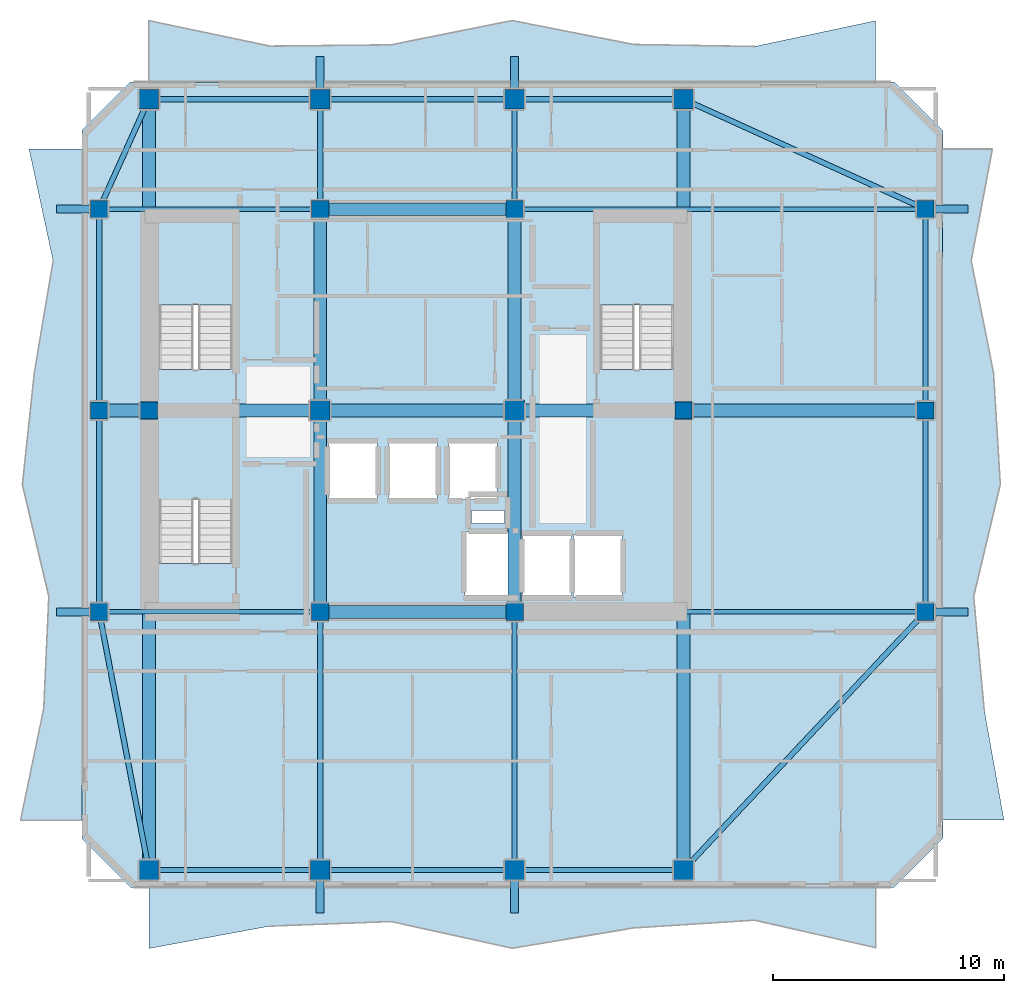
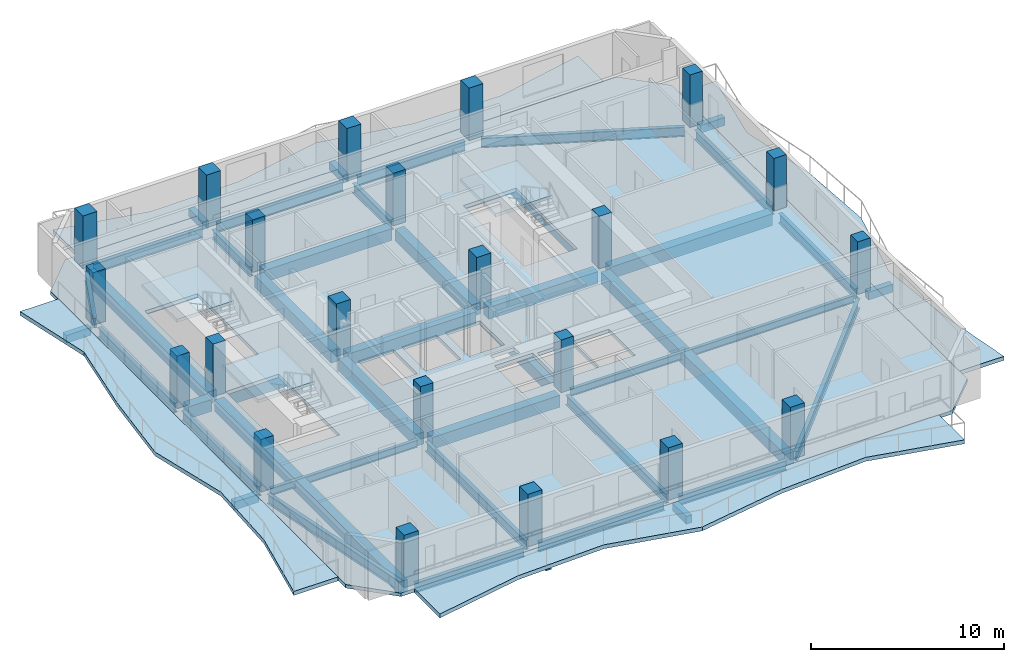
# One storey, part 1 of 9: 45 beams, 22 columns, 8 slabs, 3 elements without a shape of their own.
"""IFC4 building model written with IfcOpenShell, lengths in metres."""

from ifc_helpers import new_model, si_unit, direction, frame, origin, origin_2d, place, context, subcontext, project, spatial, polyline, rectangle, i_section, outline, extrude, material, layer, layer_set, material_profile, profile_set, type_object, element, aggregate, save


model = new_model("IFC4")

# Units and contexts
model_context = context("Model", 3, precision=1e-05, world=origin(), true_north=direction((0.0, 1.0)))
body_context = subcontext(model_context, "Body", "Model", "MODEL_VIEW")
ifc_project = project(units=[si_unit("LENGTHUNIT", "METRE"), si_unit("AREAUNIT", "SQUARE_METRE"), si_unit("VOLUMEUNIT", "CUBIC_METRE"), si_unit("PLANEANGLEUNIT", "RADIAN"), si_unit("MASSUNIT", "GRAM", prefix="KILO")], contexts=[model_context])

# Site, building, storey
site_placement = place(None, origin())
site = spatial("IfcSite", under=ifc_project, at=site_placement, CompositionType="ELEMENT")
building_placement = place(site_placement, origin())
building = spatial("IfcBuilding", under=site, at=building_placement, Name="Solanera Arch Residences", CompositionType="ELEMENT")
storey_placement = place(building_placement, frame((0.0, 0.0, 216.719970703125)))
storey = spatial("IfcBuildingStorey", under=building, at=storey_placement, Name="L63", CompositionType="ELEMENT", Elevation=216.719970703125)

# Columns
ifc_material_1 = material(Name="Concrete C40/50 (f'c = 45 MPa)", Category="concrete")
ifc_material_profile_1 = material_profile(ifc_material_1, rectangle(XDim=0.75, YDim=0.75, at=origin_2d()))
ifc_profile_set_1 = profile_set([ifc_material_profile_1], Name="Concrete C40/50 (f'c = 45 MPa)")
column_type_1 = type_object("IfcColumnType", Name="Structural Column RC-COL-750X750", PredefinedType="COLUMN", material=ifc_profile_set_1)
for number, where, z_axis, x_axis, name in (
    (1, (20.800048828125, 22.0, 0.0), (0.0, 0.0, 1.0), (1.0, 0.0, 0.0), "COL-L63-CB-SW"),
    (2, (29.199951171875, 22.0, 0.0), (0.0, 0.0, 1.0), (1.0, 0.0, 0.0), "COL-L63-CB-SE"),
    (3, (20.800048828125, 39.39990234375, 0.0), (0.0, 0.0, 1.0), (1.0, 0.0, 0.0), "COL-L63-CB-NW"),
    (4, (29.199951171875, 39.39990234375, 0.0), (0.0, 0.0, 1.0), (1.0, 0.0, 0.0), "COL-L63-CB-NE"),
    (5, (13.39990234375, 30.699951171875, 0.0), (0.0, 0.0, 1.0), (1.0, 0.0, 0.0), "COL-L63-CB-WW"),
    (6, (36.5, 30.699951171875, 0.0), (0.0, 0.0, 1.0), (1.0, 0.0, 0.0), "COL-L63-CB-EE"),
    (7, (11.25, 22.0, 0.0), (0.0, 0.0, 1.0), (1.0, 0.0, 0.0), "COL-L63-TWR-09"),
    (8, (46.949951171875, 22.0, 0.0), (0.0, 0.0, 1.0), (1.0, 0.0, 0.0), "COL-L63-TWR-10"),
    (9, (11.25, 30.699951171875, 0.0), (0.0, 0.0, 1.0), (1.0, 0.0, 0.0), "COL-L63-TWR-11"),
    (10, (46.949951171875, 30.699951171875, 0.0), (0.0, 0.0, 1.0), (1.0, 0.0, 0.0), "COL-L63-TWR-12"),
    (11, (11.25, 39.39990234375, 0.0), (0.0, 0.0, 1.0), (1.0, 0.0, 0.0), "COL-L63-TWR-13"),
    (12, (46.949951171875, 39.39990234375, 0.0), (0.0, 0.0, 1.0), (1.0, 0.0, 0.0), "COL-L63-TWR-14"),
):
    element("IfcColumn", number, at=place(storey_placement, frame(where, z_axis=z_axis, x_axis=x_axis)), inside=storey, type_object=column_type_1, Name=name, PredefinedType="COLUMN", context=body_context, shape_type="SweptSolid", body=[
        extrude(rectangle(XDim=0.75, YDim=0.75, at=origin_2d()), origin(), (0.0, 0.0, 1.0), 3.320068359375),
    ])
ifc_material_2 = material(Name="Concrete C40/50 (f'c = 45 MPa)", Category="concrete")
ifc_material_profile_2 = material_profile(ifc_material_2, rectangle(XDim=0.85009765625, YDim=0.85009765625, at=origin_2d()))
ifc_profile_set_2 = profile_set([ifc_material_profile_2], Name="Concrete C40/50 (f'c = 45 MPa)")
column_type_2 = type_object("IfcColumnType", Name="Structural Column RC-COL-850X850", PredefinedType="COLUMN", material=ifc_profile_set_2)
for number, where, z_axis, x_axis, name in (
    (13, (20.800048828125, 30.699951171875, 0.0), (0.0, 0.0, 1.0), (1.0, 0.0, 0.0), "COL-L63-CORE-W"),
    (14, (29.199951171875, 30.699951171875, 0.0), (0.0, 0.0, 1.0), (1.0, 0.0, 0.0), "COL-L63-CORE-E"),
    (15, (13.39990234375, 10.85009765625, 0.0), (0.0, 0.0, 1.0), (1.0, 0.0, 0.0), "COL-L63-TWR-01"),
    (16, (13.39990234375, 44.14990234375, 0.0), (0.0, 0.0, 1.0), (1.0, 0.0, 0.0), "COL-L63-TWR-02"),
    (17, (20.800048828125, 10.85009765625, 0.0), (0.0, 0.0, 1.0), (1.0, 0.0, 0.0), "COL-L63-TWR-03"),
    (18, (20.800048828125, 44.14990234375, 0.0), (0.0, 0.0, 1.0), (1.0, 0.0, 0.0), "COL-L63-TWR-04"),
    (19, (29.199951171875, 10.85009765625, 0.0), (0.0, 0.0, 1.0), (1.0, 0.0, 0.0), "COL-L63-TWR-05"),
    (20, (29.199951171875, 44.14990234375, 0.0), (0.0, 0.0, 1.0), (1.0, 0.0, 0.0), "COL-L63-TWR-06"),
    (21, (36.5, 10.85009765625, 0.0), (0.0, 0.0, 1.0), (1.0, 0.0, 0.0), "COL-L63-TWR-07"),
    (22, (36.5, 44.14990234375, 0.0), (0.0, 0.0, 1.0), (1.0, 0.0, 0.0), "COL-L63-TWR-08"),
):
    element("IfcColumn", number, at=place(storey_placement, frame(where, z_axis=z_axis, x_axis=x_axis)), inside=storey, type_object=column_type_2, Name=name, PredefinedType="COLUMN", context=body_context, shape_type="SweptSolid", body=[
        extrude(rectangle(XDim=0.85009765625, YDim=0.85009765625, at=origin_2d()), origin(), (0.0, 0.0, 1.0), 3.320068359375),
    ])

# Beams
ifc_material_3 = material(Name="Concrete C40/50 (f'c = 45 MPa)", Category="concrete")
ifc_material_profile_3 = material_profile(ifc_material_3, rectangle(XDim=0.35009765625, YDim=0.5, at=origin_2d()))
ifc_profile_set_3 = profile_set([ifc_material_profile_3], Name="Concrete C40/50 (f'c = 45 MPa)")
beam_type_1 = type_object("IfcBeamType", Name="BM-BALC-RIB", PredefinedType="BEAM", material=ifc_profile_set_3)
for number, where, z_axis, x_axis, name in (
    (23, (20.800048828125, 9.0, -0.5), (0.0, 1.0, 0.0), (-1.0, 0.0, 0.0), "BM-L63-BRIB-S1"),
    (24, (29.199951171875, 9.0, -0.5), (0.0, 1.0, 0.0), (-1.0, 0.0, 0.0), "BM-L63-BRIB-S2"),
    (25, (20.800048828125, 44.574951171875, -0.5), (0.0, 1.0, 0.0), (-1.0, 0.0, 0.0), "BM-L63-BRIB-N1"),
    (26, (29.199951171875, 44.574951171875, -0.5), (0.0, 1.0, 0.0), (-1.0, 0.0, 0.0), "BM-L63-BRIB-N2"),
):
    element("IfcBeam", number, at=place(storey_placement, frame(where, z_axis=z_axis, x_axis=x_axis)), inside=storey, type_object=beam_type_1, Name=name, PredefinedType="BEAM", context=body_context, shape_type="SweptSolid", body=[
        extrude(rectangle(XDim=0.35009765625, YDim=0.5, at=origin_2d()), origin(), (0.0, 0.0, 1.0), 1.425048828125),
    ])
for number, where, z_axis, x_axis, name in (
    (27, (47.324951171875, 22.0, -0.5), (1.0, 0.0, 0.0), (0.0, 1.0, 0.0), "BM-L63-BRIB-E1"),
    (28, (47.324951171875, 39.39990234375, -0.5), (1.0, 0.0, 0.0), (0.0, 1.0, 0.0), "BM-L63-BRIB-E2"),
    (29, (9.39990234375, 22.0, -0.5), (1.0, 0.0, 0.0), (0.0, 1.0, 0.0), "BM-L63-BRIB-W1"),
    (30, (9.39990234375, 39.39990234375, -0.5), (1.0, 0.0, 0.0), (0.0, 1.0, 0.0), "BM-L63-BRIB-W2"),
):
    element("IfcBeam", number, at=place(storey_placement, frame(where, z_axis=z_axis, x_axis=x_axis)), inside=storey, type_object=beam_type_1, Name=name, PredefinedType="BEAM", context=body_context, shape_type="SweptSolid", body=[
        extrude(rectangle(XDim=0.35009765625, YDim=0.5, at=origin_2d()), origin(), (0.0, 0.0, 1.0), 1.47509765625),
    ])
ifc_material_4 = material(Name="Concrete C40/50 (f'c = 45 MPa)", Category="concrete")
ifc_material_profile_4 = material_profile(ifc_material_4, rectangle(XDim=0.550048828125, YDim=0.75, at=origin_2d()))
ifc_profile_set_4 = profile_set([ifc_material_profile_4], Name="Concrete C40/50 (f'c = 45 MPa)")
beam_type_2 = type_object("IfcBeamType", Name="Primary Beam RC-BM-550X750", PredefinedType="BEAM", material=ifc_profile_set_4)
beam_1_placement = place(storey_placement, frame((20.800048828125, 22.37890625, -0.594970703125), z_axis=(0.0, 1.0, 0.0), x_axis=(-1.0, 0.0, 0.0)))
element("IfcBeam", 31, at=beam_1_placement, inside=storey, type_object=beam_type_2, Name="BM-L63-CC-S-208", PredefinedType="BEAM", context=body_context, shape_type="SweptSolid", body=[
    extrude(rectangle(XDim=0.550048828125, YDim=0.75, at=origin_2d()), origin(), (0.0, 0.0, 1.0), 7.942138671875),
])
beam_2_placement = place(storey_placement, frame((20.800048828125, 31.0791015625, -0.594970703125), z_axis=(0.0, 1.0, 0.0), x_axis=(-1.0, 0.0, 0.0)))
element("IfcBeam", 32, at=beam_2_placement, inside=storey, type_object=beam_type_2, Name="BM-L63-CC-N-208", PredefinedType="BEAM", context=body_context, shape_type="SweptSolid", body=[
    extrude(rectangle(XDim=0.550048828125, YDim=0.75, at=origin_2d()), origin(), (0.0, 0.0, 1.0), 7.94189453125),
])
beam_3_placement = place(storey_placement, frame((29.199951171875, 22.37890625, -0.594970703125), z_axis=(0.0, 1.0, 0.0), x_axis=(-1.0, 0.0, 0.0)))
element("IfcBeam", 33, at=beam_3_placement, inside=storey, type_object=beam_type_2, Name="BM-L63-CC-S-292", PredefinedType="BEAM", context=body_context, shape_type="SweptSolid", body=[
    extrude(rectangle(XDim=0.550048828125, YDim=0.75, at=origin_2d()), origin(), (0.0, 0.0, 1.0), 7.942138671875),
])
beam_4_placement = place(storey_placement, frame((29.199951171875, 31.0791015625, -0.594970703125), z_axis=(0.0, 1.0, 0.0), x_axis=(-1.0, 0.0, 0.0)))
element("IfcBeam", 34, at=beam_4_placement, inside=storey, type_object=beam_type_2, Name="BM-L63-CC-N-292", PredefinedType="BEAM", context=body_context, shape_type="SweptSolid", body=[
    extrude(rectangle(XDim=0.550048828125, YDim=0.75, at=origin_2d()), origin(), (0.0, 0.0, 1.0), 7.94189453125),
])
for number, where, z_axis, x_axis, name in (
    (35, (21.178955078125, 22.0, -0.594970703125), (1.0, 0.0, 0.0), (0.0, 1.0, 0.0), "BM-L63-CC-M-220"),
    (36, (21.178955078125, 30.699951171875, -0.594970703125), (1.0, 0.0, 0.0), (0.0, 1.0, 0.0), "BM-L63-CC-M-307"),
    (37, (21.178955078125, 39.39990234375, -0.594970703125), (1.0, 0.0, 0.0), (0.0, 1.0, 0.0), "BM-L63-CC-M-394"),
):
    element("IfcBeam", number, at=place(storey_placement, frame(where, z_axis=z_axis, x_axis=x_axis)), inside=storey, type_object=beam_type_2, Name=name, PredefinedType="BEAM", context=body_context, shape_type="SweptSolid", body=[
        extrude(rectangle(XDim=0.550048828125, YDim=0.75, at=origin_2d()), origin(), (0.0, 0.0, 1.0), 7.64208984375),
    ])
beam_5_placement = place(storey_placement, frame((13.779052734375, 30.699951171875, -0.594970703125), z_axis=(1.0, 0.0, 0.0), x_axis=(0.0, 1.0, 0.0)))
element("IfcBeam", 38, at=beam_5_placement, inside=storey, type_object=beam_type_2, Name="BM-L63-CC-W", PredefinedType="BEAM", context=body_context, shape_type="SweptSolid", body=[
    extrude(rectangle(XDim=0.550048828125, YDim=0.75, at=origin_2d()), origin(), (0.0, 0.0, 1.0), 6.641845703125),
])
beam_6_placement = place(storey_placement, frame((29.5791015625, 30.699951171875, -0.594970703125), z_axis=(1.0, 0.0, 0.0), x_axis=(0.0, 1.0, 0.0)))
element("IfcBeam", 39, at=beam_6_placement, inside=storey, type_object=beam_type_2, Name="BM-L63-CC-E", PredefinedType="BEAM", context=body_context, shape_type="SweptSolid", body=[
    extrude(rectangle(XDim=0.550048828125, YDim=0.75, at=origin_2d()), origin(), (0.0, 0.0, 1.0), 6.5419921875),
])
beam_7_placement = place(storey_placement, frame((13.39990234375, 11.279052734375, -0.594970703125), z_axis=(0.0, 1.0, 0.0), x_axis=(-1.0, 0.0, 0.0)))
element("IfcBeam", 40, at=beam_7_placement, inside=storey, type_object=beam_type_2, Name="BM-L63-RAD-OS-134", PredefinedType="BEAM", context=body_context, shape_type="SweptSolid", body=[
    extrude(rectangle(XDim=0.550048828125, YDim=0.75, at=origin_2d()), origin(), (0.0, 0.0, 1.0), 19.0419921875),
])
beam_8_placement = place(storey_placement, frame((13.39990234375, 31.0791015625, -0.594970703125), z_axis=(0.0, 1.0, 0.0), x_axis=(-1.0, 0.0, 0.0)))
element("IfcBeam", 41, at=beam_8_placement, inside=storey, type_object=beam_type_2, Name="BM-L63-RAD-ON-134", PredefinedType="BEAM", context=body_context, shape_type="SweptSolid", body=[
    extrude(rectangle(XDim=0.550048828125, YDim=0.75, at=origin_2d()), origin(), (0.0, 0.0, 1.0), 12.641845703125),
])
beam_9_placement = place(storey_placement, frame((36.5, 11.279052734375, -0.594970703125), z_axis=(0.0, 1.0, 0.0), x_axis=(-1.0, 0.0, 0.0)))
element("IfcBeam", 42, at=beam_9_placement, inside=storey, type_object=beam_type_2, Name="BM-L63-RAD-OS-365", PredefinedType="BEAM", context=body_context, shape_type="SweptSolid", body=[
    extrude(rectangle(XDim=0.550048828125, YDim=0.75, at=origin_2d()), origin(), (0.0, 0.0, 1.0), 19.0419921875),
])
beam_10_placement = place(storey_placement, frame((36.5, 31.0791015625, -0.594970703125), z_axis=(0.0, 1.0, 0.0), x_axis=(-1.0, 0.0, 0.0)))
element("IfcBeam", 43, at=beam_10_placement, inside=storey, type_object=beam_type_2, Name="BM-L63-RAD-ON-365", PredefinedType="BEAM", context=body_context, shape_type="SweptSolid", body=[
    extrude(rectangle(XDim=0.550048828125, YDim=0.75, at=origin_2d()), origin(), (0.0, 0.0, 1.0), 12.641845703125),
])
beam_11_placement = place(storey_placement, frame((11.62890625, 30.699951171875, -0.594970703125), z_axis=(1.0, 0.0, 0.0), x_axis=(0.0, 1.0, 0.0)))
element("IfcBeam", 44, at=beam_11_placement, inside=storey, type_object=beam_type_2, Name="BM-L63-RAD-MW", PredefinedType="BEAM", context=body_context, shape_type="SweptSolid", body=[
    extrude(rectangle(XDim=0.550048828125, YDim=0.75, at=origin_2d()), origin(), (0.0, 0.0, 1.0), 1.39208984375),
])
beam_12_placement = place(storey_placement, frame((36.87890625, 30.699951171875, -0.594970703125), z_axis=(1.0, 0.0, 0.0), x_axis=(0.0, 1.0, 0.0)))
element("IfcBeam", 45, at=beam_12_placement, inside=storey, type_object=beam_type_2, Name="BM-L63-RAD-ME", PredefinedType="BEAM", context=body_context, shape_type="SweptSolid", body=[
    extrude(rectangle(XDim=0.550048828125, YDim=0.75, at=origin_2d()), origin(), (0.0, 0.0, 1.0), 9.692138671875),
])
ifc_material_5 = material(Name="Steel S355 (ASTM A992 / A572 Grade 50)", Category="steel")
ifc_material_profile_5 = material_profile(ifc_material_5, i_section(OverallWidth=0.22998046875, OverallDepth=0.616943359375, WebThickness=0.01318359375, FlangeThickness=0.022216796875, at=origin_2d()))
ifc_profile_set_5 = profile_set([ifc_material_profile_5], Name="Steel S355 (ASTM A992 / A572 Grade 50)")
beam_type_3 = type_object("IfcBeamType", Name="Primary Beam W610X140", PredefinedType="BEAM", material=ifc_profile_set_5)
beam_13_placement = place(storey_placement, frame((20.800048828125, 11.279052734375, -0.529052734375), z_axis=(0.0, 1.0, 0.0), x_axis=(-1.0, 0.0, 0.0)))
element("IfcBeam", 46, at=beam_13_placement, inside=storey, type_object=beam_type_3, Name="BM-L63-RAD-S-208", PredefinedType="BEAM", context=body_context, shape_type="SweptSolid", body=[
    extrude(i_section(OverallWidth=0.22998046875, OverallDepth=0.616943359375, WebThickness=0.01318359375, FlangeThickness=0.022216796875, at=origin_2d()), origin(), (0.0, 0.0, 1.0), 10.342041015625),
])
beam_14_placement = place(storey_placement, frame((20.800048828125, 39.779052734375, -0.529052734375), z_axis=(0.0, 1.0, 0.0), x_axis=(-1.0, 0.0, 0.0)))
element("IfcBeam", 47, at=beam_14_placement, inside=storey, type_object=beam_type_3, Name="BM-L63-RAD-N-208", PredefinedType="BEAM", context=body_context, shape_type="SweptSolid", body=[
    extrude(i_section(OverallWidth=0.22998046875, OverallDepth=0.616943359375, WebThickness=0.01318359375, FlangeThickness=0.022216796875, at=origin_2d()), origin(), (0.0, 0.0, 1.0), 3.94189453125),
])
beam_15_placement = place(storey_placement, frame((29.199951171875, 11.279052734375, -0.529052734375), z_axis=(0.0, 1.0, 0.0), x_axis=(-1.0, 0.0, 0.0)))
element("IfcBeam", 48, at=beam_15_placement, inside=storey, type_object=beam_type_3, Name="BM-L63-RAD-S-292", PredefinedType="BEAM", context=body_context, shape_type="SweptSolid", body=[
    extrude(i_section(OverallWidth=0.22998046875, OverallDepth=0.616943359375, WebThickness=0.01318359375, FlangeThickness=0.022216796875, at=origin_2d()), origin(), (0.0, 0.0, 1.0), 10.342041015625),
])
beam_16_placement = place(storey_placement, frame((29.199951171875, 39.779052734375, -0.529052734375), z_axis=(0.0, 1.0, 0.0), x_axis=(-1.0, 0.0, 0.0)))
element("IfcBeam", 49, at=beam_16_placement, inside=storey, type_object=beam_type_3, Name="BM-L63-RAD-N-292", PredefinedType="BEAM", context=body_context, shape_type="SweptSolid", body=[
    extrude(i_section(OverallWidth=0.22998046875, OverallDepth=0.616943359375, WebThickness=0.01318359375, FlangeThickness=0.022216796875, at=origin_2d()), origin(), (0.0, 0.0, 1.0), 3.94189453125),
])
ifc_material_6 = material(Name="Steel S355 (ASTM A992 / A572 Grade 50)", Category="steel")
ifc_material_profile_6 = material_profile(ifc_material_6, i_section(OverallWidth=0.19091796875, OverallDepth=0.4599609375, WebThickness=0.010009765625, FlangeThickness=0.01611328125, at=origin_2d()))
ifc_profile_set_6 = profile_set([ifc_material_profile_6], Name="Steel S355 (ASTM A992 / A572 Grade 50)")
beam_type_4 = type_object("IfcBeamType", Name="Secondary Joist W460X82", PredefinedType="JOIST", material=ifc_profile_set_6)
beam_17_placement = place(storey_placement, frame((11.62890625, 22.0, -0.449951171875), z_axis=(1.0, 0.0, 0.0), x_axis=(0.0, 1.0, 0.0)))
element("IfcBeam", 50, at=beam_17_placement, inside=storey, type_object=beam_type_4, Name="BM-L63-RAD-W-220", PredefinedType="JOIST", context=body_context, shape_type="SweptSolid", body=[
    extrude(i_section(OverallWidth=0.19091796875, OverallDepth=0.4599609375, WebThickness=0.010009765625, FlangeThickness=0.01611328125, at=origin_2d()), origin(), (0.0, 0.0, 1.0), 8.7919921875),
])
beam_18_placement = place(storey_placement, frame((29.5791015625, 22.0, -0.449951171875), z_axis=(1.0, 0.0, 0.0), x_axis=(0.0, 1.0, 0.0)))
element("IfcBeam", 51, at=beam_18_placement, inside=storey, type_object=beam_type_4, Name="BM-L63-RAD-E-220", PredefinedType="JOIST", context=body_context, shape_type="SweptSolid", body=[
    extrude(i_section(OverallWidth=0.19091796875, OverallDepth=0.4599609375, WebThickness=0.010009765625, FlangeThickness=0.01611328125, at=origin_2d()), origin(), (0.0, 0.0, 1.0), 16.991943359375),
])
beam_19_placement = place(storey_placement, frame((11.62890625, 39.39990234375, -0.449951171875), z_axis=(1.0, 0.0, 0.0), x_axis=(0.0, 1.0, 0.0)))
element("IfcBeam", 52, at=beam_19_placement, inside=storey, type_object=beam_type_4, Name="BM-L63-RAD-W-394", PredefinedType="JOIST", context=body_context, shape_type="SweptSolid", body=[
    extrude(i_section(OverallWidth=0.19091796875, OverallDepth=0.4599609375, WebThickness=0.010009765625, FlangeThickness=0.01611328125, at=origin_2d()), origin(), (0.0, 0.0, 1.0), 8.7919921875),
])
beam_20_placement = place(storey_placement, frame((29.5791015625, 39.39990234375, -0.449951171875), z_axis=(1.0, 0.0, 0.0), x_axis=(0.0, 1.0, 0.0)))
element("IfcBeam", 53, at=beam_20_placement, inside=storey, type_object=beam_type_4, Name="BM-L63-RAD-E-394", PredefinedType="JOIST", context=body_context, shape_type="SweptSolid", body=[
    extrude(i_section(OverallWidth=0.19091796875, OverallDepth=0.4599609375, WebThickness=0.010009765625, FlangeThickness=0.01611328125, at=origin_2d()), origin(), (0.0, 0.0, 1.0), 16.991943359375),
])
ifc_material_7 = material(Name="Steel S355 (ASTM A992 / A572 Grade 50)", Category="steel")
ifc_material_profile_7 = material_profile(ifc_material_7, i_section(OverallWidth=0.22802734375, OverallDepth=0.60791015625, WebThickness=0.01123046875, FlangeThickness=0.017333984375, at=origin_2d()))
ifc_profile_set_7 = profile_set([ifc_material_profile_7], Name="Steel S355 (ASTM A992 / A572 Grade 50)")
beam_type_5 = type_object("IfcBeamType", Name="Spandrel Beam W610X113", PredefinedType="SPANDREL", material=ifc_profile_set_7)
for number, where, z_axis, x_axis, name in (
    (54, (13.8291015625, 10.85009765625, -0.52392578125), (1.0, 0.0, 0.0), (0.0, 1.0, 0.0), "BM-L63-SPN-S-1"),
    (55, (13.8291015625, 44.14990234375, -0.52392578125), (1.0, 0.0, 0.0), (0.0, 1.0, 0.0), "BM-L63-SPN-N-1"),
):
    element("IfcBeam", number, at=place(storey_placement, frame(where, z_axis=z_axis, x_axis=x_axis)), inside=storey, type_object=beam_type_5, Name=name, PredefinedType="SPANDREL", context=body_context, shape_type="SweptSolid", body=[
        extrude(i_section(OverallWidth=0.22802734375, OverallDepth=0.60791015625, WebThickness=0.01123046875, FlangeThickness=0.017333984375, at=origin_2d()), origin(), (0.0, 0.0, 1.0), 6.5419921875),
    ])
for number, where, z_axis, x_axis, name in (
    (56, (21.22900390625, 10.85009765625, -0.52392578125), (1.0, 0.0, 0.0), (0.0, 1.0, 0.0), "BM-L63-SPN-S-2"),
    (57, (21.22900390625, 44.14990234375, -0.52392578125), (1.0, 0.0, 0.0), (0.0, 1.0, 0.0), "BM-L63-SPN-N-2"),
):
    element("IfcBeam", number, at=place(storey_placement, frame(where, z_axis=z_axis, x_axis=x_axis)), inside=storey, type_object=beam_type_5, Name=name, PredefinedType="SPANDREL", context=body_context, shape_type="SweptSolid", body=[
        extrude(i_section(OverallWidth=0.22802734375, OverallDepth=0.60791015625, WebThickness=0.01123046875, FlangeThickness=0.017333984375, at=origin_2d()), origin(), (0.0, 0.0, 1.0), 7.5419921875),
    ])
for number, where, z_axis, x_axis, name in (
    (58, (29.62890625, 10.85009765625, -0.52392578125), (1.0, 0.0, 0.0), (0.0, 1.0, 0.0), "BM-L63-SPN-S-3"),
    (59, (29.62890625, 44.14990234375, -0.52392578125), (1.0, 0.0, 0.0), (0.0, 1.0, 0.0), "BM-L63-SPN-N-3"),
):
    element("IfcBeam", number, at=place(storey_placement, frame(where, z_axis=z_axis, x_axis=x_axis)), inside=storey, type_object=beam_type_5, Name=name, PredefinedType="SPANDREL", context=body_context, shape_type="SweptSolid", body=[
        extrude(i_section(OverallWidth=0.22802734375, OverallDepth=0.60791015625, WebThickness=0.01123046875, FlangeThickness=0.017333984375, at=origin_2d()), origin(), (0.0, 0.0, 1.0), 6.442138671875),
    ])
for number, where, z_axis, x_axis, name in (
    (60, (11.25, 22.37890625, -0.52392578125), (0.0, 1.0, 0.0), (-1.0, 0.0, 0.0), "BM-L63-SPN-W-1"),
    (61, (46.949951171875, 22.37890625, -0.52392578125), (0.0, 1.0, 0.0), (-1.0, 0.0, 0.0), "BM-L63-SPN-E-1"),
):
    element("IfcBeam", number, at=place(storey_placement, frame(where, z_axis=z_axis, x_axis=x_axis)), inside=storey, type_object=beam_type_5, Name=name, PredefinedType="SPANDREL", context=body_context, shape_type="SweptSolid", body=[
        extrude(i_section(OverallWidth=0.22802734375, OverallDepth=0.60791015625, WebThickness=0.01123046875, FlangeThickness=0.017333984375, at=origin_2d()), origin(), (0.0, 0.0, 1.0), 7.942138671875),
    ])
for number, where, z_axis, x_axis, name in (
    (62, (11.25, 31.0791015625, -0.52392578125), (0.0, 1.0, 0.0), (-1.0, 0.0, 0.0), "BM-L63-SPN-W-2"),
    (63, (46.949951171875, 31.0791015625, -0.52392578125), (0.0, 1.0, 0.0), (-1.0, 0.0, 0.0), "BM-L63-SPN-E-2"),
):
    element("IfcBeam", number, at=place(storey_placement, frame(where, z_axis=z_axis, x_axis=x_axis)), inside=storey, type_object=beam_type_5, Name=name, PredefinedType="SPANDREL", context=body_context, shape_type="SweptSolid", body=[
        extrude(i_section(OverallWidth=0.22802734375, OverallDepth=0.60791015625, WebThickness=0.01123046875, FlangeThickness=0.017333984375, at=origin_2d()), origin(), (0.0, 0.0, 1.0), 7.94189453125),
    ])
beam_21_placement = place(storey_placement, frame((13.31689453125, 11.279052734375, -0.52392578125), z_axis=(-0.189309049989, 0.981917554376, 0.0), x_axis=(-0.981917554376, -0.189309049989, 0.0)))
element("IfcBeam", 64, at=beam_21_placement, inside=storey, type_object=beam_type_5, Name="BM-L63-SPN-SW", PredefinedType="SPANDREL", context=body_context, shape_type="SweptSolid", body=[
    extrude(i_section(OverallWidth=0.22802734375, OverallDepth=0.60791015625, WebThickness=0.01123046875, FlangeThickness=0.017333984375, at=origin_2d()), origin(), (0.0, 0.0, 1.0), 10.532470703125),
])
beam_22_placement = place(storey_placement, frame((13.2060546875, 43.720947265625, -0.52392578125), z_axis=(-0.412535820952, -0.910941379251, 0.0), x_axis=(0.910941379251, -0.412535820952, 0.0)))
element("IfcBeam", 65, at=beam_22_placement, inside=storey, type_object=beam_type_5, Name="BM-L63-SPN-NW", PredefinedType="SPANDREL", context=body_context, shape_type="SweptSolid", body=[
    extrude(i_section(OverallWidth=0.22802734375, OverallDepth=0.60791015625, WebThickness=0.01123046875, FlangeThickness=0.017333984375, at=origin_2d()), origin(), (0.0, 0.0, 1.0), 4.327392578125),
])
beam_23_placement = place(storey_placement, frame((36.868896484375, 11.243896484375, -0.52392578125), z_axis=(0.68384805947, 0.72962444556, 0.0), x_axis=(-0.72962444556, 0.68384805947, 0.0)))
element("IfcBeam", 66, at=beam_23_placement, inside=storey, type_object=beam_type_5, Name="BM-L63-SPN-SE", PredefinedType="SPANDREL", context=body_context, shape_type="SweptSolid", body=[
    extrude(i_section(OverallWidth=0.22802734375, OverallDepth=0.60791015625, WebThickness=0.01123046875, FlangeThickness=0.017333984375, at=origin_2d()), origin(), (0.0, 0.0, 1.0), 14.223876953125),
])
beam_24_placement = place(storey_placement, frame((36.928955078125, 43.955078125, -0.52392578125), z_axis=(0.910356214976, -0.413825521028, 0.0), x_axis=(0.413825521028, 0.910356214976, 0.0)))
element("IfcBeam", 67, at=beam_24_placement, inside=storey, type_object=beam_type_5, Name="BM-L63-SPN-NE", PredefinedType="SPANDREL", context=body_context, shape_type="SweptSolid", body=[
    extrude(i_section(OverallWidth=0.22802734375, OverallDepth=0.60791015625, WebThickness=0.01123046875, FlangeThickness=0.017333984375, at=origin_2d()), origin(), (0.0, 0.0, 1.0), 10.591552734375),
])

# Slabs
ifc_material_8 = material(Name="Concrete C40/50 (f'c = 45 MPa)", Category="concrete")
ifc_layer_1 = layer(ifc_material_8, 0.25)
ifc_layer_set_1 = layer_set([ifc_layer_1], Name="Concrete C40/50 (f'c = 45 MPa)")
slab_type_1 = type_object("IfcSlabType", Name="Balcony Slab 250", PredefinedType="FLOOR", material=ifc_layer_set_1)
slab_1_placement = place(storey_placement, frame((0.0, 0.0, -0.25)))
element("IfcSlab", 68, at=slab_1_placement, inside=storey, type_object=slab_type_1, Name="L63 S Rippling Brise-Soleil Balcony Slab", PredefinedType="FLOOR", context=body_context, shape_type="SweptSolid", body=[
    extrude(outline(polyline([(13.39990234375, 7.4541015625), (18.633056640625, 8.423095703125), (23.866943359375, 8.62109375), (29.10009765625, 7.468017578125), (34.3330078125, 8.343994140625), (39.56689453125, 8.680908203125), (44.800048828125, 7.490966796875), (44.800048828125, 10.1201171875), (13.39990234375, 10.1201171875), (13.39990234375, 7.4541015625)])), origin(), (0.0, 0.0, 1.0), 0.25),
])
slab_2_placement = place(storey_placement, frame((0.0, 0.0, -0.25)))
element("IfcSlab", 69, at=slab_2_placement, inside=storey, type_object=slab_type_1, Name="L63 N Rippling Brise-Soleil Balcony Slab", PredefinedType="FLOOR", context=body_context, shape_type="SweptSolid", body=[
    extrude(outline(polyline([(44.800048828125, 47.5439453125), (39.56689453125, 46.429931640625), (34.3330078125, 46.51806640625), (29.10009765625, 47.550048828125), (23.866943359375, 46.5009765625), (18.633056640625, 46.446044921875), (13.39990234375, 47.5458984375), (13.39990234375, 44.8798828125), (44.800048828125, 44.8798828125), (44.800048828125, 47.5439453125)])), origin(), (0.0, 0.0, 1.0), 0.25),
])
slab_3_placement = place(storey_placement, frame((0.0, 0.0, -0.25)))
element("IfcSlab", 70, at=slab_3_placement, inside=storey, type_object=slab_type_1, Name="L63 E Rippling Brise-Soleil Balcony Slab", PredefinedType="FLOOR", context=body_context, shape_type="SweptSolid", body=[
    extrude(outline(polyline([(50.345947265625, 13.0), (49.48291015625, 17.8330078125), (49.034912109375, 22.6669921875), (50.18603515625, 27.5), (49.89404296875, 32.3330078125), (48.930908203125, 37.1669921875), (49.842041015625, 42.0), (47.679931640625, 42.0), (47.679931640625, 13.0), (50.345947265625, 13.0)])), origin(), (0.0, 0.0, 1.0), 0.25),
])
slab_4_placement = place(storey_placement, frame((0.0, 0.0, -0.25)))
element("IfcSlab", 71, at=slab_4_placement, inside=storey, type_object=slab_type_1, Name="L63 W Rippling Brise-Soleil Balcony Slab", PredefinedType="FLOOR", context=body_context, shape_type="SweptSolid", body=[
    extrude(outline(polyline([(8.220947265625, 42.0), (9.260009765625, 37.1669921875), (8.448974609375, 32.3330078125), (7.931884765625, 27.5), (9.074951171875, 22.6669921875), (8.85693359375, 17.8330078125), (7.85400390625, 13.0), (10.52001953125, 13.0), (10.52001953125, 42.0), (8.220947265625, 42.0)])), origin(), (0.0, 0.0, 1.0), 0.25),
])

# Stair, slab
ifc_material_9 = material(Name="Concrete C40/50 (f'c = 45 MPa)", Category="concrete")
stair_type = type_object("IfcStairType", Name="Tower Dogleg Exit Stair 1480", PredefinedType="HALF_TURN_STAIR", material=ifc_material_9)
stair_1_placement = place(storey_placement, origin())
stair_1 = element("IfcStair", 72, at=stair_1_placement, inside=storey, type_object=stair_type, Name="L63 Tower Core Exit Stair 1", PredefinedType="HALF_TURN_STAIR")
ifc_material_10 = material(Name="Concrete C40/50 (f'c = 45 MPa)", Category="concrete")
ifc_layer_2 = layer(ifc_material_10, 0.199951171875)
ifc_layer_set_2 = layer_set([ifc_layer_2], Name="Concrete C40/50 (f'c = 45 MPa)")
slab_type_2 = type_object("IfcSlabType", Name="Stair Half-Landing Slab 200", PredefinedType="LANDING", material=ifc_layer_set_2)
slab_5_placement = place(storey_placement, frame((0.0, 0.0, 1.4599609375)))
slab_5 = element("IfcSlab", 73, at=slab_5_placement, type_object=slab_type_2, Name="ST-T1 landing 1", PredefinedType="LANDING", context=body_context, shape_type="SweptSolid", body=[
    extrude(outline(polyline([(17.1201171875, 35.260009765625), (17.1201171875, 38.919921875), (13.719970703125, 38.919921875), (13.719970703125, 35.260009765625), (17.1201171875, 35.260009765625)])), origin(), (0.0, 0.0, 1.0), 0.199951171875),
])
aggregate(stair_1, [slab_5])

stair_2_placement = place(storey_placement, origin())
stair_2 = element("IfcStair", 74, at=stair_2_placement, inside=storey, type_object=stair_type, Name="L63 Tower Core Exit Stair 2", PredefinedType="HALF_TURN_STAIR")
slab_6_placement = place(storey_placement, frame((0.0, 0.0, 1.4599609375)))
slab_6 = element("IfcSlab", 75, at=slab_6_placement, type_object=slab_type_2, Name="ST-T2 landing 1", PredefinedType="LANDING", context=body_context, shape_type="SweptSolid", body=[
    extrude(outline(polyline([(36.179931640625, 35.260009765625), (36.179931640625, 38.919921875), (32.780029296875, 38.919921875), (32.780029296875, 35.260009765625), (36.179931640625, 35.260009765625)])), origin(), (0.0, 0.0, 1.0), 0.199951171875),
])
aggregate(stair_2, [slab_6])

stair_3_placement = place(storey_placement, origin())
stair_3 = element("IfcStair", 76, at=stair_3_placement, inside=storey, type_object=stair_type, Name="L63 Tower Core Exit Stair 3", PredefinedType="HALF_TURN_STAIR")
slab_7_placement = place(storey_placement, frame((0.0, 0.0, 1.4599609375)))
slab_7 = element("IfcSlab", 77, at=slab_7_placement, type_object=slab_type_2, Name="ST-T3 landing 1", PredefinedType="LANDING", context=body_context, shape_type="SweptSolid", body=[
    extrude(outline(polyline([(17.1201171875, 26.860107421875), (17.1201171875, 30.52001953125), (13.719970703125, 30.52001953125), (13.719970703125, 26.860107421875), (17.1201171875, 26.860107421875)])), origin(), (0.0, 0.0, 1.0), 0.199951171875),
])
aggregate(stair_3, [slab_7])

# Slab
ifc_material_11 = material(Name="Concrete C40/50 (f'c = 45 MPa)", Category="concrete")
ifc_layer_3 = layer(ifc_material_11, 0.219970703125)
ifc_layer_set_3 = layer_set([ifc_layer_3], Name="Concrete C40/50 (f'c = 45 MPa)")
slab_type_3 = type_object("IfcSlabType", Name="Suspended Floor Slab Post-Tensioned 220", PredefinedType="FLOOR", material=ifc_layer_set_3)
slab_8_placement = place(storey_placement, frame((0.0, 0.0, -0.219970703125)))
element("IfcSlab", 78, at=slab_8_placement, inside=storey, type_object=slab_type_3, Name="L63 Tower Post-Tensioned Floor Slab", PredefinedType="FLOOR", context=body_context, shape_type="SweptSolid", body=[
    extrude(outline(polyline([(12.60009765625, 10.10009765625), (45.60009765625, 10.10009765625), (47.699951171875, 12.199951171875), (47.699951171875, 42.800048828125), (45.60009765625, 44.89990234375), (12.60009765625, 44.89990234375), (10.5, 42.800048828125), (10.5, 12.199951171875), (12.60009765625, 10.10009765625)]), holes=[polyline([(13.840087890625, 32.48291015625), (13.840087890625, 38.800048828125), (17.0, 38.800048828125), (17.0, 32.48291015625), (13.840087890625, 32.48291015625)]), polyline([(32.89990234375, 32.48291015625), (32.89990234375, 38.800048828125), (36.06005859375, 38.800048828125), (36.06005859375, 32.48291015625), (32.89990234375, 32.48291015625)]), polyline([(13.840087890625, 24.0830078125), (13.840087890625, 30.39990234375), (17.0, 30.39990234375), (17.0, 24.0830078125), (13.840087890625, 24.0830078125)]), polyline([(21.14990234375, 29.35009765625), (23.25, 29.35009765625), (23.25, 26.85009765625), (21.14990234375, 26.85009765625), (21.14990234375, 29.35009765625)]), polyline([(23.75, 29.35009765625), (25.85009765625, 29.35009765625), (25.85009765625, 26.85009765625), (23.75, 26.85009765625), (23.75, 29.35009765625)]), polyline([(26.35009765625, 29.35009765625), (28.449951171875, 29.35009765625), (28.449951171875, 26.85009765625), (26.35009765625, 26.85009765625), (26.35009765625, 29.35009765625)]), polyline([(29.550048828125, 25.35009765625), (31.64990234375, 25.35009765625), (31.64990234375, 22.64990234375), (29.550048828125, 22.64990234375), (29.550048828125, 25.35009765625)]), polyline([(31.75, 25.35009765625), (33.85009765625, 25.35009765625), (33.85009765625, 22.64990234375), (31.75, 22.64990234375), (31.75, 25.35009765625)]), polyline([(27.050048828125, 25.449951171875), (29.35009765625, 25.449951171875), (29.35009765625, 22.64990234375), (27.050048828125, 22.64990234375), (27.050048828125, 25.449951171875)]), polyline([(27.340087890625, 26.3798828125), (28.760009765625, 26.3798828125), (28.760009765625, 25.820068359375), (27.340087890625, 25.820068359375), (27.340087890625, 26.3798828125)])]), origin(), (0.0, 0.0, 1.0), 0.219970703125),
])

save(model, "model.ifc")
